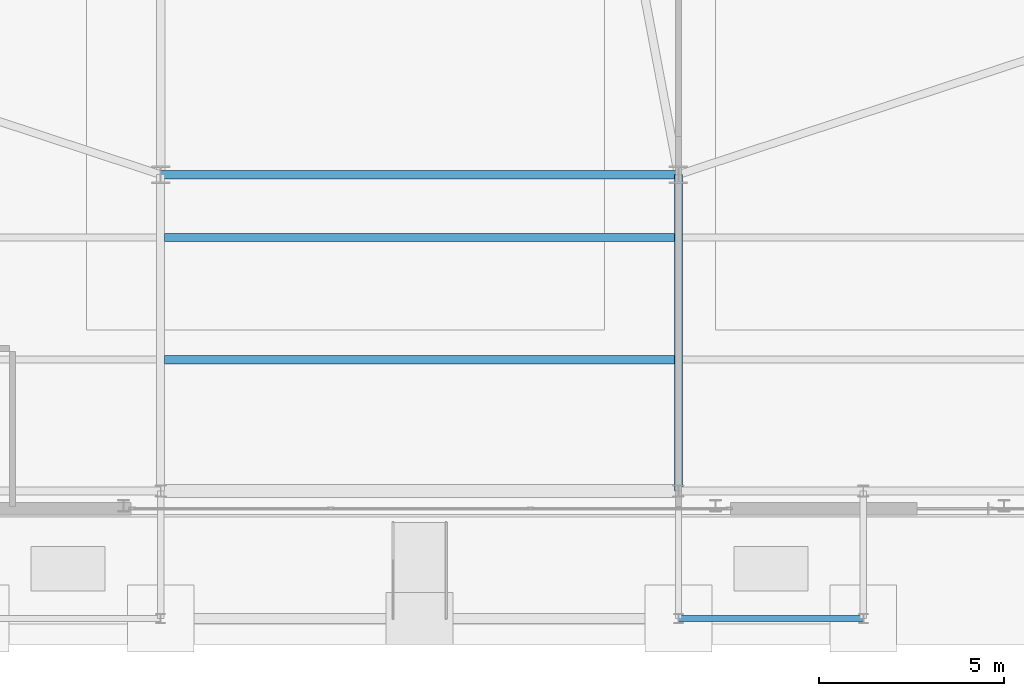
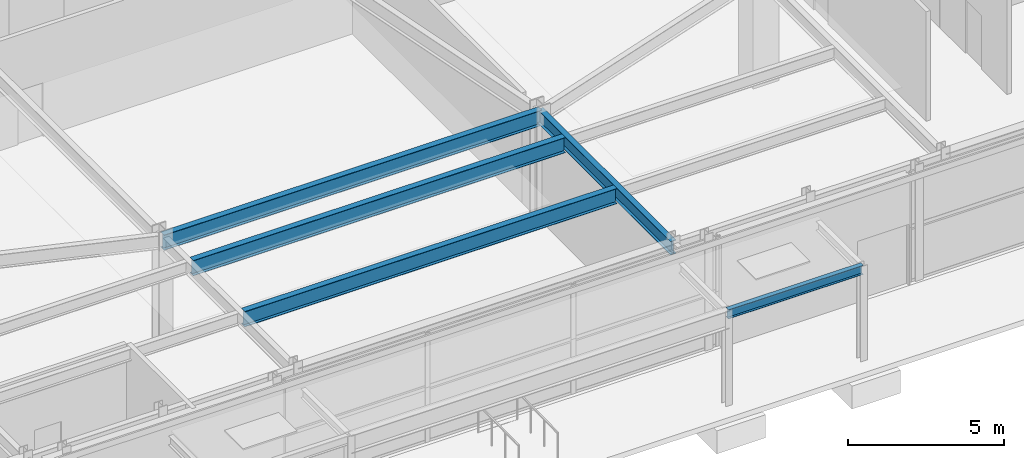
# One storey, part 13 of 29: 5 beams.
"""IFC4 building model written with IfcOpenShell, lengths in metres."""

from ifc_helpers import new_model, si_unit, direction, frame, origin, origin_2d, place, context, subcontext, project, spatial, i_section, extrude, source, transform, mapped, material, material_profile, profile_set, type_object, element, save


model = new_model("IFC4")

# Units and contexts
model_context = context("Model", 3, precision=1e-05, world=origin(), true_north=direction((0.0, 1.0)))
body_context = subcontext(model_context, "Body", "Model", "MODEL_VIEW")
ifc_project = project(units=[si_unit("LENGTHUNIT", "METRE"), si_unit("AREAUNIT", "SQUARE_METRE"), si_unit("VOLUMEUNIT", "CUBIC_METRE"), si_unit("PLANEANGLEUNIT", "RADIAN"), si_unit("MASSUNIT", "GRAM", prefix="KILO")], contexts=[model_context])

# Site, building, storey
site_placement = place(None, origin())
site = spatial("IfcSite", under=ifc_project, at=site_placement, CompositionType="ELEMENT")
building_placement = place(site_placement, origin())
building = spatial("IfcBuilding", under=site, at=building_placement, Name="Taldren Reach Tower", CompositionType="ELEMENT")
storey_placement = place(building_placement, origin())
storey = spatial("IfcBuildingStorey", under=building, at=storey_placement, Name="L00", CompositionType="ELEMENT", Elevation=0.0)

# Beams
ifc_material = material(Name="Steel Gr 350 (350PLUS)", Category="steel")
ifc_material_profile_1 = material_profile(ifc_material, i_section(OverallWidth=0.22802734375, OverallDepth=0.60205078125, WebThickness=0.010498046875, FlangeThickness=0.014892578125, at=origin_2d()), Name="610UB101")
ifc_profile_set_1 = profile_set([ifc_material_profile_1], Name="Steel Gr 350 (350PLUS)")
beam_type_1 = type_object("IfcBeamType", Name="BM-UB610B", PredefinedType="BEAM", material=ifc_profile_set_1)
shared_shape_1 = source(origin(), body_context, "Body", "SweptSolid", [
    extrude(i_section(OverallWidth=0.22802734375, OverallDepth=0.60205078125, WebThickness=0.010498046875, FlangeThickness=0.014892578125, at=origin_2d()), origin(), (0.0, 0.0, 1.0), 14.0),
])
beam_1_placement = place(storey_placement, frame((28.0, 9.199951171875, 3.989013671875), z_axis=(1.0, 0.0, 0.0), x_axis=(0.0, 1.0, 0.0)))
element("IfcBeam", 1, at=beam_1_placement, inside=storey, type_object=beam_type_1, Name="Core-spine girder L00-SP11", PredefinedType="BEAM", context=body_context, shape_type="MappedRepresentation", body=[
    mapped(shared_shape_1, transform((0.0, 0.0, 0.0), scale=1.0)),
])
ifc_material_profile_2 = material_profile(ifc_material, i_section(OverallWidth=0.208984375, OverallDepth=0.532958984375, WebThickness=0.01025390625, FlangeThickness=0.015625, at=origin_2d()), Name="530UB92.4")
ifc_profile_set_2 = profile_set([ifc_material_profile_2], Name="Steel Gr 350 (350PLUS)")
beam_type_2 = type_object("IfcBeamType", Name="BM-UB530A", PredefinedType="BEAM", material=ifc_profile_set_2)
shared_shape_2 = source(origin(), body_context, "Body", "SweptSolid", [
    extrude(i_section(OverallWidth=0.208984375, OverallDepth=0.532958984375, WebThickness=0.01025390625, FlangeThickness=0.015625, at=origin_2d()), origin(), (0.0, 0.0, 1.0), 8.550048828125),
])
beam_2_placement = place(storey_placement, frame((42.0, 0.64990234375, 4.0234375), z_axis=(0.0, 1.0, 0.0), x_axis=(-1.0, 0.0, 0.0)))
element("IfcBeam", 2, at=beam_2_placement, inside=storey, type_object=beam_type_2, Name="Podium beam L00-PD24", PredefinedType="BEAM", context=body_context, shape_type="MappedRepresentation", body=[
    mapped(shared_shape_2, transform((0.0, 0.0, 0.0), scale=1.0)),
])
shared_shape_3 = source(origin(), body_context, "Body", "SweptSolid", [
    extrude(i_section(OverallWidth=0.22802734375, OverallDepth=0.60205078125, WebThickness=0.010498046875, FlangeThickness=0.014892578125, at=origin_2d()), origin(), (0.0, 0.0, 1.0), 13.791015625),
])
for number, where, z_axis, x_axis, name in (
    (3, (28.1044921875, 4.199951171875, 3.989013671875), (1.0, 0.0, 0.0), (0.0, 1.0, 0.0), "Podium composite floor beam L00-1.2"),
    (4, (28.1044921875, 7.5, 3.989013671875), (1.0, 0.0, 0.0), (0.0, 1.0, 0.0), "Podium composite floor beam L00-2.2"),
):
    element("IfcBeam", number, at=place(storey_placement, frame(where, z_axis=z_axis, x_axis=x_axis)), inside=storey, type_object=beam_type_1, Name=name, PredefinedType="BEAM", context=body_context, shape_type="MappedRepresentation", body=[
        mapped(shared_shape_3, transform((0.0, 0.0, 0.0), scale=1.0)),
    ])
ifc_material_profile_3 = material_profile(ifc_material, i_section(OverallWidth=0.172119140625, OverallDepth=0.35888671875, WebThickness=0.008056640625, FlangeThickness=0.012939453125, at=origin_2d()), Name="360UB56.7")
ifc_profile_set_3 = profile_set([ifc_material_profile_3], Name="Steel Gr 350 (350PLUS)")
beam_type_3 = type_object("IfcBeamType", Name="SP-UB360", PredefinedType="SPANDREL", material=ifc_profile_set_3)
shared_shape_4 = source(origin(), body_context, "Body", "SweptSolid", [
    extrude(i_section(OverallWidth=0.172119140625, OverallDepth=0.35888671875, WebThickness=0.008056640625, FlangeThickness=0.012939453125, at=origin_2d()), origin(), (0.0, 0.0, 1.0), 5.0),
])
beam_3_placement = place(storey_placement, frame((42.0, -2.800048828125, 3.54052734375), z_axis=(1.0, 0.0, 0.0), x_axis=(0.0, 1.0, 0.0)))
element("IfcBeam", 5, at=beam_3_placement, inside=storey, type_object=beam_type_3, Name="South canopy edge beam East", PredefinedType="SPANDREL", context=body_context, shape_type="MappedRepresentation", body=[
    mapped(shared_shape_4, transform((0.0, 0.0, 0.0), scale=1.0)),
])

save(model, "model.ifc")
